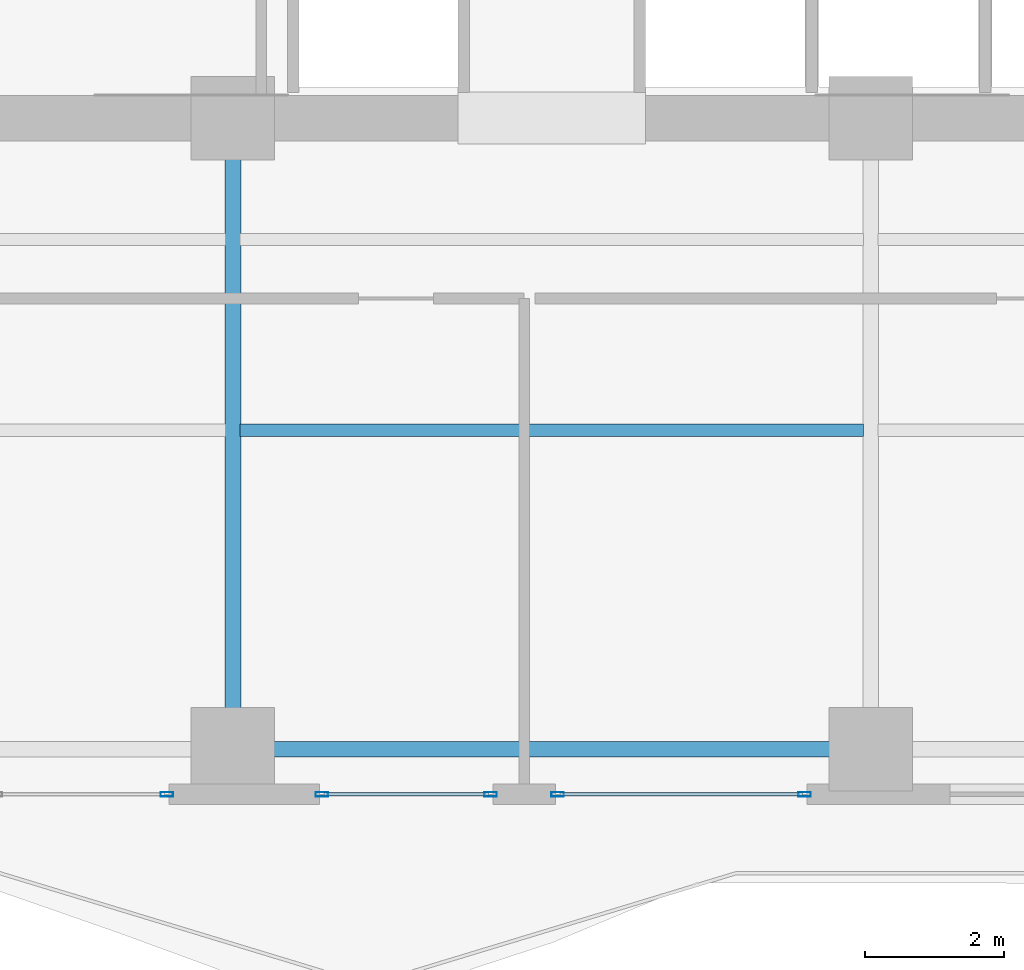
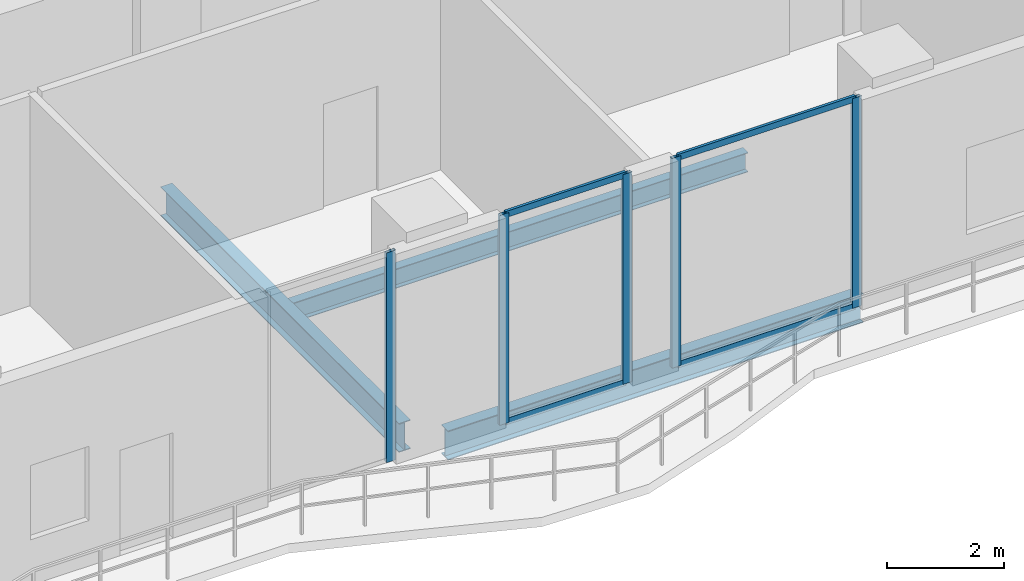
# One storey, part 4 of 31: 9 members, 3 beams, 3 elements without a shape of their own.
"""IFC4 building model written with IfcOpenShell, lengths in metres."""

from ifc_helpers import new_model, si_unit, direction, frame, origin, origin_2d, place, context, subcontext, project, spatial, hollow_rectangle, i_section, extrude, material, layer, layer_set, material_profile, profile_set, type_object, element, aggregate, save


model = new_model("IFC4")

# Units and contexts
model_context = context("Model", 3, precision=1e-05, world=origin(), true_north=direction((0.0, 1.0)))
body_context = subcontext(model_context, "Body", "Model", "MODEL_VIEW")
ifc_project = project(units=[si_unit("LENGTHUNIT", "METRE"), si_unit("AREAUNIT", "SQUARE_METRE"), si_unit("VOLUMEUNIT", "CUBIC_METRE"), si_unit("PLANEANGLEUNIT", "RADIAN"), si_unit("MASSUNIT", "GRAM", prefix="KILO")], contexts=[model_context])

# Site, building, storey
site_placement = place(None, origin())
site = spatial("IfcSite", under=ifc_project, at=site_placement, CompositionType="ELEMENT")
building_placement = place(site_placement, origin())
building = spatial("IfcBuilding", under=site, at=building_placement, Name="Zuhayl Quay Hotel", CompositionType="ELEMENT")
storey_placement = place(building_placement, frame((0.0, 0.0, 172.800048828125)))
storey = spatial("IfcBuildingStorey", under=building, at=storey_placement, Name="L43", CompositionType="ELEMENT", Elevation=172.800048828125)

# Beams
ifc_material_1 = material(Name="Steel ASTM A992 Grade 50", Category="steel")
ifc_material_profile_1 = material_profile(ifc_material_1, i_section(OverallWidth=0.22802734375, OverallDepth=0.60693359375, WebThickness=0.01123046875, FlangeThickness=0.017333984375, at=origin_2d()), Name="W24X76")
ifc_profile_set_1 = profile_set([ifc_material_profile_1], Name="Steel ASTM A992 Grade 50")
beam_type_1 = type_object("IfcBeamType", Name="BM_B3_W24X76", PredefinedType="BEAM", material=ifc_profile_set_1)
beam_1_placement = place(storey_placement, frame((-4.10009765625, -6.949951171875, -0.5234375), z_axis=(1.0, 0.0, 0.0), x_axis=(0.0, 1.0, 0.0)))
element("IfcBeam", 1, at=beam_1_placement, inside=storey, type_object=beam_type_1, Name="L43 Floor Beam RG_L43_02", PredefinedType="BEAM", context=body_context, shape_type="SweptSolid", body=[
    extrude(i_section(OverallWidth=0.22802734375, OverallDepth=0.60693359375, WebThickness=0.01123046875, FlangeThickness=0.017333984375, at=origin_2d()), origin(), (0.0, 0.0, 1.0), 8.2001953125),
])
beam_2_placement = place(storey_placement, frame((-4.60009765625, -6.449951171875, -0.5234375), z_axis=(0.0, 1.0, 0.0), x_axis=(-1.0, 0.0, 0.0)))
element("IfcBeam", 2, at=beam_2_placement, inside=storey, type_object=beam_type_1, Name="L43 Floor Beam FG_S_L43_2", PredefinedType="BEAM", context=body_context, shape_type="SweptSolid", body=[
    extrude(i_section(OverallWidth=0.22802734375, OverallDepth=0.60693359375, WebThickness=0.01123046875, FlangeThickness=0.017333984375, at=origin_2d()), origin(), (0.0, 0.0, 1.0), 8.14990234375),
])
ifc_material_profile_2 = material_profile(ifc_material_1, i_section(OverallWidth=0.177978515625, OverallDepth=0.406005859375, WebThickness=0.0078125, FlangeThickness=0.0126953125, at=origin_2d()), Name="W16X40")
ifc_profile_set_2 = profile_set([ifc_material_profile_2], Name="Steel ASTM A992 Grade 50")
beam_type_2 = type_object("IfcBeamType", Name="BM_J2B_W16X40", PredefinedType="JOIST", material=ifc_profile_set_2)
beam_3_placement = place(storey_placement, frame((-4.493896484375, -2.35009765625, -0.423095703125), z_axis=(1.0, 0.0, 0.0), x_axis=(0.0, 1.0, 0.0)))
element("IfcBeam", 3, at=beam_3_placement, inside=storey, type_object=beam_type_2, Name="L43 Floor Beam FJ_L43_7_2", PredefinedType="JOIST", context=body_context, shape_type="SweptSolid", body=[
    extrude(i_section(OverallWidth=0.177978515625, OverallDepth=0.406005859375, WebThickness=0.0078125, FlangeThickness=0.0126953125, at=origin_2d()), origin(), (0.0, 0.0, 1.0), 8.98779296875),
])

# Curtain wall, members
ifc_material_2 = material(Name="Anodised Aluminium 6063-T6", Category="aluminium")
ifc_layer = layer(ifc_material_2, 0.175048828125, Name="Anodised Aluminium 6063-T6", Category="aluminium")
ifc_layer_set = layer_set([ifc_layer], Name="Anodised Aluminium 6063-T6")
curtain_wall_type = type_object("IfcCurtainWallType", Name="CW_SYS_Z3", PredefinedType="USERDEFINED", material=ifc_layer_set)
curtain_wall_1_placement = place(storey_placement, origin())
curtain_wall_1 = element("IfcCurtainWall", 4, at=curtain_wall_1_placement, inside=storey, type_object=curtain_wall_type, Name="L43 Curtain Wall ENV_L43_S_CW3", ObjectType="UNITISED CURTAIN WALL", PredefinedType="USERDEFINED")
ifc_material_3 = material(Name="Black-anodised aluminium 6063-T6", Category="aluminium")
ifc_material_profile_3 = material_profile(ifc_material_3, hollow_rectangle(XDim=0.06494140625, YDim=0.179931640625, WallThickness=0.00341796875, at=origin_2d()), Name="ALU180X65")
ifc_profile_set_3 = profile_set([ifc_material_profile_3], Name="Black-anodised aluminium 6063-T6")
member_type_1 = type_object("IfcMemberType", Name="MB_CW_MUL_180", PredefinedType="MULLION", material=ifc_profile_set_3)
member_1_placement = place(storey_placement, frame((3.6474609375, -7.60009765625, 0.0), z_axis=(0.0, 0.0, 1.0), x_axis=(0.0, -1.0, 0.0)))
member_1 = element("IfcMember", 5, at=member_1_placement, type_object=member_type_1, Name="CW-Z3 mullion 1", PredefinedType="MULLION", context=body_context, shape_type="SweptSolid", body=[
    extrude(hollow_rectangle(XDim=0.06494140625, YDim=0.179931640625, WallThickness=0.00341796875, at=origin_2d()), origin(), (0.0, 0.0, 1.0), 4.3798828125),
])
member_2_placement = place(storey_placement, frame((0.08251953125, -7.60009765625, 0.0), z_axis=(0.0, 0.0, 1.0), x_axis=(0.0, -1.0, 0.0)))
member_2 = element("IfcMember", 6, at=member_2_placement, type_object=member_type_1, Name="CW-Z3 mullion 2", PredefinedType="MULLION", context=body_context, shape_type="SweptSolid", body=[
    extrude(hollow_rectangle(XDim=0.06494140625, YDim=0.179931640625, WallThickness=0.00341796875, at=origin_2d()), origin(), (0.0, 0.0, 1.0), 4.3798828125),
])

curtain_wall_2_placement = place(storey_placement, origin())
curtain_wall_2 = element("IfcCurtainWall", 7, at=curtain_wall_2_placement, inside=storey, type_object=curtain_wall_type, Name="L43 Curtain Wall ENV_L43_S_CW4", ObjectType="UNITISED CURTAIN WALL", PredefinedType="USERDEFINED")
member_3_placement = place(storey_placement, frame((-0.882568359375, -7.60009765625, 0.0), z_axis=(0.0, 0.0, 1.0), x_axis=(0.0, -1.0, 0.0)))
member_3 = element("IfcMember", 8, at=member_3_placement, type_object=member_type_1, Name="CW-Z3 mullion 1", PredefinedType="MULLION", context=body_context, shape_type="SweptSolid", body=[
    extrude(hollow_rectangle(XDim=0.06494140625, YDim=0.179931640625, WallThickness=0.00341796875, at=origin_2d()), origin(), (0.0, 0.0, 1.0), 4.3798828125),
])
member_4_placement = place(storey_placement, frame((-3.3173828125, -7.60009765625, 0.0), z_axis=(0.0, 0.0, 1.0), x_axis=(0.0, -1.0, 0.0)))
member_4 = element("IfcMember", 9, at=member_4_placement, type_object=member_type_1, Name="CW-Z3 mullion 2", PredefinedType="MULLION", context=body_context, shape_type="SweptSolid", body=[
    extrude(hollow_rectangle(XDim=0.06494140625, YDim=0.179931640625, WallThickness=0.00341796875, at=origin_2d()), origin(), (0.0, 0.0, 1.0), 4.3798828125),
])

# Curtain wall, member
curtain_wall_3_placement = place(storey_placement, origin())
curtain_wall_3 = element("IfcCurtainWall", 10, at=curtain_wall_3_placement, inside=storey, type_object=curtain_wall_type, Name="L43 Curtain Wall ENV_L43_S_CW5", ObjectType="UNITISED CURTAIN WALL", PredefinedType="USERDEFINED")
member_5_placement = place(storey_placement, frame((-5.552490234375, -7.60009765625, 0.0), z_axis=(0.0, 0.0, 1.0), x_axis=(0.0, -1.0, 0.0)))
member_5 = element("IfcMember", 11, at=member_5_placement, type_object=member_type_1, Name="CW-Z3 mullion 1", PredefinedType="MULLION", context=body_context, shape_type="SweptSolid", body=[
    extrude(hollow_rectangle(XDim=0.06494140625, YDim=0.179931640625, WallThickness=0.00341796875, at=origin_2d()), origin(), (0.0, 0.0, 1.0), 4.3798828125),
])
aggregate(curtain_wall_3, [member_5])

# Member
ifc_material_profile_4 = material_profile(ifc_material_3, hollow_rectangle(XDim=0.054931640625, YDim=0.1298828125, WallThickness=0.0029296875, at=origin_2d()), Name="ALU130X55")
ifc_profile_set_4 = profile_set([ifc_material_profile_4], Name="Black-anodised aluminium 6063-T6")
member_type_2 = type_object("IfcMemberType", Name="MB_CW_TRN_130", PredefinedType="USERDEFINED", material=ifc_profile_set_4)
member_6_placement = place(storey_placement, frame((3.614990234375, -7.60009765625, 0.02734375), z_axis=(-1.0, 0.0, 0.0), x_axis=(0.0, -1.0, 0.0)))
member_6 = element("IfcMember", 12, at=member_6_placement, type_object=member_type_2, Name="CW-Z3 transom 1.1", ObjectType="TRANSOM", PredefinedType="USERDEFINED", context=body_context, shape_type="SweptSolid", body=[
    extrude(hollow_rectangle(XDim=0.054931640625, YDim=0.1298828125, WallThickness=0.0029296875, at=origin_2d()), origin(), (0.0, 0.0, 1.0), 3.5),
])

member_7_placement = place(storey_placement, frame((3.614990234375, -7.60009765625, 4.3525390625), z_axis=(-1.0, 0.0, 0.0), x_axis=(0.0, -1.0, 0.0)))
member_7 = element("IfcMember", 13, at=member_7_placement, type_object=member_type_2, Name="CW-Z3 transom 1.2", ObjectType="TRANSOM", PredefinedType="USERDEFINED", context=body_context, shape_type="SweptSolid", body=[
    extrude(hollow_rectangle(XDim=0.054931640625, YDim=0.1298828125, WallThickness=0.0029296875, at=origin_2d()), origin(), (0.0, 0.0, 1.0), 3.5),
])

aggregate(curtain_wall_1, [member_1, member_2, member_6, member_7])

member_8_placement = place(storey_placement, frame((-0.9150390625, -7.60009765625, 0.02734375), z_axis=(-1.0, 0.0, 0.0), x_axis=(0.0, -1.0, 0.0)))
member_8 = element("IfcMember", 14, at=member_8_placement, type_object=member_type_2, Name="CW-Z3 transom 1.1", ObjectType="TRANSOM", PredefinedType="USERDEFINED", context=body_context, shape_type="SweptSolid", body=[
    extrude(hollow_rectangle(XDim=0.054931640625, YDim=0.1298828125, WallThickness=0.0029296875, at=origin_2d()), origin(), (0.0, 0.0, 1.0), 2.369873046875),
])

member_9_placement = place(storey_placement, frame((-0.9150390625, -7.60009765625, 4.3525390625), z_axis=(-1.0, 0.0, 0.0), x_axis=(0.0, -1.0, 0.0)))
member_9 = element("IfcMember", 15, at=member_9_placement, type_object=member_type_2, Name="CW-Z3 transom 1.2", ObjectType="TRANSOM", PredefinedType="USERDEFINED", context=body_context, shape_type="SweptSolid", body=[
    extrude(hollow_rectangle(XDim=0.054931640625, YDim=0.1298828125, WallThickness=0.0029296875, at=origin_2d()), origin(), (0.0, 0.0, 1.0), 2.369873046875),
])

aggregate(curtain_wall_2, [member_3, member_4, member_8, member_9])

save(model, "model.ifc")
